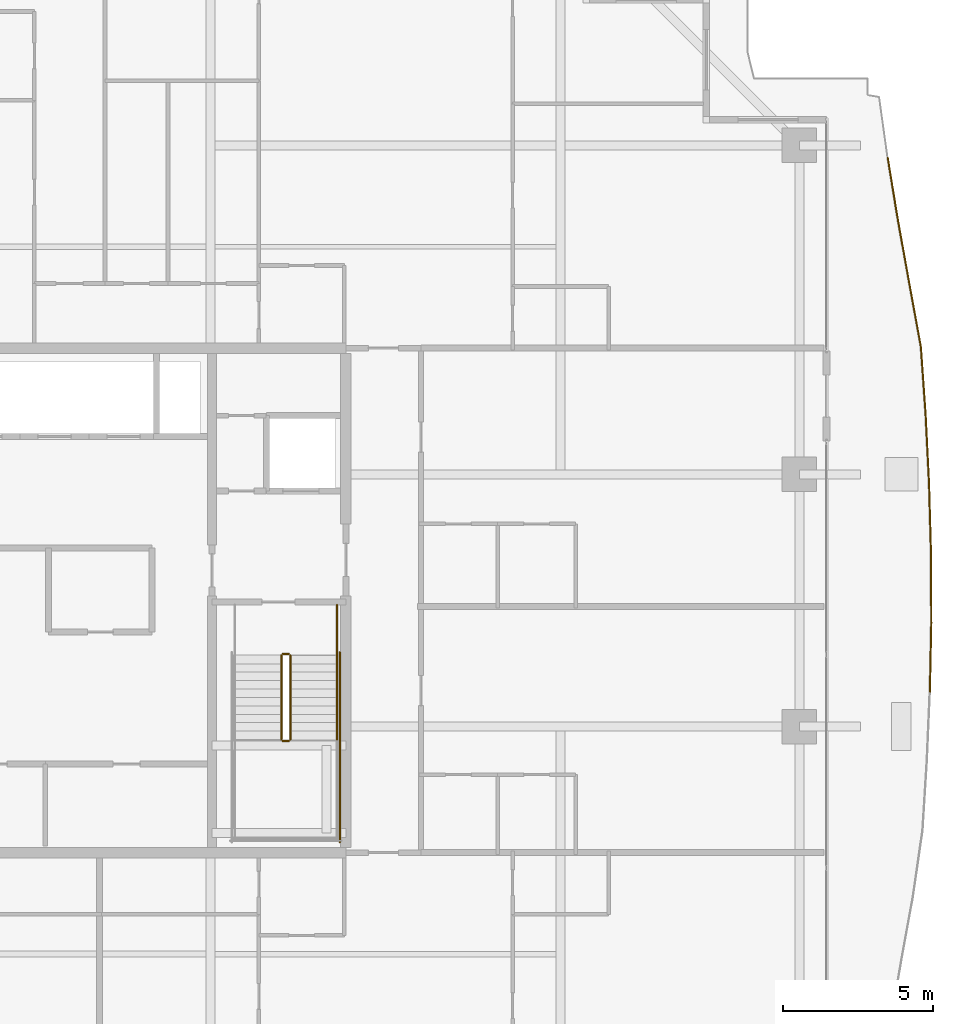
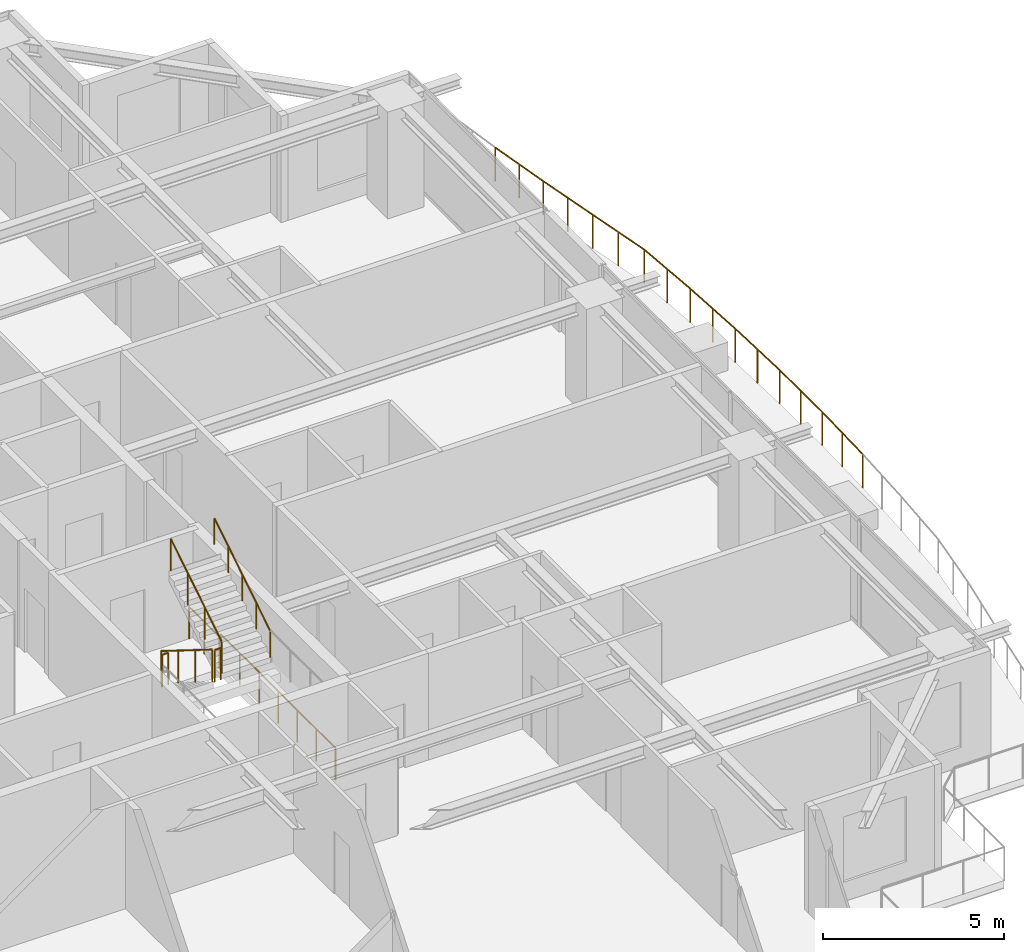
# One storey, part 36 of 37: 8 railings.
"""IFC4 building model written with IfcOpenShell, lengths in metres."""

from ifc_helpers import new_model, si_unit, direction, frame, origin, origin_2d, place, context, subcontext, project, spatial, circle, extrude, material, type_object, element, save


model = new_model("IFC4")

# Units and contexts
model_context = context("Model", 3, precision=1e-05, world=origin(), true_north=direction((0.0, 1.0)))
body_context = subcontext(model_context, "Body", "Model", "MODEL_VIEW")
ifc_project = project(units=[si_unit("LENGTHUNIT", "METRE"), si_unit("AREAUNIT", "SQUARE_METRE"), si_unit("VOLUMEUNIT", "CUBIC_METRE"), si_unit("PLANEANGLEUNIT", "RADIAN"), si_unit("MASSUNIT", "GRAM", prefix="KILO")], contexts=[model_context])

# Site, building, storey
site_placement = place(None, origin())
site = spatial("IfcSite", under=ifc_project, at=site_placement, CompositionType="ELEMENT")
building_placement = place(site_placement, origin())
building = spatial("IfcBuilding", under=site, at=building_placement, Name="Serunith Strait Residences", CompositionType="ELEMENT")
storey_placement = place(building_placement, frame((0.0, 0.0, 279.75)))
storey = spatial("IfcBuildingStorey", under=building, at=storey_placement, Name="L70", CompositionType="ELEMENT", Elevation=279.75)

# Railings
ifc_material_1 = material(Name="Stainless Steel & Laminated Glass Balustrade", Category="steel")
railing_type_1 = type_object("IfcRailingType", Name="RLG-BALC-1150", PredefinedType="BALUSTRADE", material=ifc_material_1)
railing_1_placement = place(storey_placement, frame((59.43896484375, 39.936279296875, -0.050048828125)))
element("IfcRailing", 1, at=railing_1_placement, inside=storey, type_object=railing_type_1, Name="L70 Swirling Balcony Perimeter Balustrade 5", PredefinedType="BALUSTRADE", context=body_context, shape_type="SweptSolid", body=[
    extrude(circle(Radius=0.02392578125, at=origin_2d()), frame((0.000244140625, -0.001953125, 1.1259765625), z_axis=(0.16127655947, -0.986909251839, 0.0), x_axis=(0.986909251839, 0.16127655947, 0.0)), (0.0, 0.0, 1.0), 2.075927734375),
    extrude(circle(Radius=0.02392578125, at=origin_2d()), frame((0.335693359375, -2.0546875, 1.1259765625), z_axis=(0.176883754776, -0.984231749791, 0.0), x_axis=(0.984231749791, 0.176883754776, 0.0)), (0.0, 0.0, 1.0), 2.12158203125),
    extrude(circle(Radius=0.02392578125, at=origin_2d()), frame((0.711669921875, -4.146728515625, 1.1259765625), z_axis=(0.179278853801, -0.983798298728, 0.0), x_axis=(0.983798298728, 0.179278853801, 0.0)), (0.0, 0.0, 1.0), 2.180419921875),
    extrude(circle(Radius=0.02392578125, at=origin_2d()), frame((1.103271484375, -6.295654296875, 1.1259765625), z_axis=(0.07015355465, -0.99753620424, 0.0), x_axis=(0.99753620424, 0.07015355465, 0.0)), (0.0, 0.0, 1.0), 2.26513671875),
    extrude(circle(Radius=0.02392578125, at=origin_2d()), frame((1.26220703125, -8.55908203125, 1.1259765625), z_axis=(0.049603861463, -0.998768970747, 0.0), x_axis=(0.998768970747, 0.049603861463, 0.0)), (0.0, 0.0, 1.0), 2.29443359375),
    extrude(circle(Radius=0.02392578125, at=origin_2d()), frame((1.376220703125, -10.854736328125, 1.1259765625), z_axis=(0.027910311276, -0.99961043138, 0.0), x_axis=(0.99961043138, 0.027910311276, 0.0)), (0.0, 0.0, 1.0), 2.31396484375),
    extrude(circle(Radius=0.02392578125, at=origin_2d()), frame((1.44091796875, -13.171875, 1.1259765625), z_axis=(0.003883262072, -0.999992460109, 0.0), x_axis=(0.999992460109, 0.003883262072, 0.0)), (0.0, 0.0, 1.0), 2.322265625),
    extrude(circle(Radius=0.02392578125, at=origin_2d()), frame((1.449951171875, -15.498046875, 1.1259765625), z_axis=(-0.020399624502, -0.999791906009, 0.0), x_axis=(0.999791906009, -0.020399624502, 0.0)), (0.0, 0.0, 1.0), 2.31787109375),
    extrude(circle(Radius=0.02099609375, at=origin_2d()), origin(), (0.0, 0.0, 1.0), 1.099853515625),
    extrude(circle(Radius=0.02099609375, at=origin_2d()), frame((0.167724609375, -1.0263671875, 0.0)), (0.0, 0.0, 1.0), 1.099853515625),
    extrude(circle(Radius=0.02099609375, at=origin_2d()), frame((0.33544921875, -2.052734375, 0.0)), (0.0, 0.0, 1.0), 1.099853515625),
    extrude(circle(Radius=0.02099609375, at=origin_2d()), frame((0.5234375, -3.0986328125, 0.0)), (0.0, 0.0, 1.0), 1.099853515625),
    extrude(circle(Radius=0.02099609375, at=origin_2d()), frame((0.71142578125, -4.144775390625, 0.0)), (0.0, 0.0, 1.0), 1.099853515625),
    extrude(circle(Radius=0.02099609375, at=origin_2d()), frame((0.9072265625, -5.21923828125, 0.0)), (0.0, 0.0, 1.0), 1.099853515625),
    extrude(circle(Radius=0.02099609375, at=origin_2d()), frame((1.10302734375, -6.293701171875, 0.0)), (0.0, 0.0, 1.0), 1.099853515625),
    extrude(circle(Radius=0.02099609375, at=origin_2d()), frame((1.1826171875, -7.42529296875, 0.0)), (0.0, 0.0, 1.0), 1.099853515625),
    extrude(circle(Radius=0.02099609375, at=origin_2d()), frame((1.26220703125, -8.55712890625, 0.0)), (0.0, 0.0, 1.0), 1.099853515625),
    extrude(circle(Radius=0.02099609375, at=origin_2d()), frame((1.3193359375, -9.705078125, 0.0)), (0.0, 0.0, 1.0), 1.099853515625),
    extrude(circle(Radius=0.02099609375, at=origin_2d()), frame((1.376220703125, -10.852783203125, 0.0)), (0.0, 0.0, 1.0), 1.099853515625),
    extrude(circle(Radius=0.02099609375, at=origin_2d()), frame((1.40869140625, -12.01123046875, 0.0)), (0.0, 0.0, 1.0), 1.099853515625),
    extrude(circle(Radius=0.02099609375, at=origin_2d()), frame((1.44091796875, -13.169921875, 0.0)), (0.0, 0.0, 1.0), 1.099853515625),
    extrude(circle(Radius=0.02099609375, at=origin_2d()), frame((1.4453125, -14.3330078125, 0.0)), (0.0, 0.0, 1.0), 1.099853515625),
    extrude(circle(Radius=0.02099609375, at=origin_2d()), frame((1.449951171875, -15.49609375, 0.0)), (0.0, 0.0, 1.0), 1.099853515625),
    extrude(circle(Radius=0.02099609375, at=origin_2d()), frame((1.42626953125, -16.65673828125, 0.0)), (0.0, 0.0, 1.0), 1.099853515625),
    extrude(circle(Radius=0.02099609375, at=origin_2d()), frame((1.402587890625, -17.8173828125, 0.0)), (0.0, 0.0, 1.0), 1.099853515625),
])
ifc_material_2 = material(Name="Brushed stainless steel 316L", Category="steel")
railing_type_2 = type_object("IfcRailingType", Name="RLG-STAIR-GUARD", PredefinedType="BALUSTRADE", material=ifc_material_2)
railing_2_placement = place(storey_placement, frame((39.25, 23.3701171875, 0.175048828125)))
element("IfcRailing", 2, at=railing_2_placement, inside=storey, type_object=railing_type_2, Name="L70 ST-2 stair guard 1", PredefinedType="BALUSTRADE", context=body_context, shape_type="SweptSolid", body=[
    extrude(circle(Radius=0.02392578125, at=origin_2d()), frame((0.0, -0.001708984375, 1.0771484375), z_axis=(0.0, -0.848002457836, 0.529992293815), x_axis=(1.0, 0.0, 0.0)), (0.0, 0.0, 1.0), 3.2978515625),
    extrude(circle(Radius=0.02099609375, at=origin_2d()), origin(), (0.0, 0.0, 1.0), 1.050048828125),
    extrude(circle(Radius=0.02099609375, at=origin_2d()), frame((0.0, -0.933349609375, 0.583251953125)), (0.0, 0.0, 1.0), 1.050048828125),
    extrude(circle(Radius=0.02099609375, at=origin_2d()), frame((0.0, -1.86669921875, 1.166748046875)), (0.0, 0.0, 1.0), 1.050048828125),
    extrude(circle(Radius=0.02099609375, at=origin_2d()), frame((0.0, -2.800048828125, 1.75)), (0.0, 0.0, 1.0), 1.050048828125),
])
railing_3_placement = place(storey_placement, frame((39.300048828125, 20.52001953125, 1.925048828125)))
element("IfcRailing", 3, at=railing_3_placement, inside=storey, type_object=railing_type_2, Name="L70 ST-2 stair guard 2", PredefinedType="BALUSTRADE", context=body_context, shape_type="SweptSolid", body=[
    extrude(circle(Radius=0.02392578125, at=origin_2d()), frame((0.001953125, 0.0, 1.076171875), z_axis=(1.0, 0.0, 0.0), x_axis=(0.0, 1.0, 0.0)), (0.0, 0.0, 1.0), 0.196044921875),
    extrude(circle(Radius=0.02099609375, at=origin_2d()), origin(), (0.0, 0.0, 1.0), 1.050048828125),
    extrude(circle(Radius=0.02099609375, at=origin_2d()), frame((0.199951171875, 0.0, 0.0)), (0.0, 0.0, 1.0), 1.050048828125),
])
railing_4_placement = place(storey_placement, frame((39.550048828125, 20.570068359375, 2.10009765625)))
element("IfcRailing", 4, at=railing_4_placement, inside=storey, type_object=railing_type_2, Name="L70 ST-2 stair guard 6", PredefinedType="BALUSTRADE", context=body_context, shape_type="SweptSolid", body=[
    extrude(circle(Radius=0.02392578125, at=origin_2d()), frame((0.0, 0.001708984375, 1.0771484375), z_axis=(0.0, 0.848002457836, 0.529992293815), x_axis=(-1.0, 0.0, 0.0)), (0.0, 0.0, 1.0), 3.2978515625),
    extrude(circle(Radius=0.02099609375, at=origin_2d()), origin(), (0.0, 0.0, 1.0), 1.050048828125),
    extrude(circle(Radius=0.02099609375, at=origin_2d()), frame((0.0, 0.933349609375, 0.583251953125)), (0.0, 0.0, 1.0), 1.050048828125),
    extrude(circle(Radius=0.02099609375, at=origin_2d()), frame((0.0, 1.86669921875, 1.166748046875)), (0.0, 0.0, 1.0), 1.050048828125),
    extrude(circle(Radius=0.02099609375, at=origin_2d()), frame((0.0, 2.800048828125, 1.75)), (0.0, 0.0, 1.0), 1.050048828125),
])
railing_5_placement = place(storey_placement, frame((39.300048828125, 23.419921875, 0.0)))
element("IfcRailing", 5, at=railing_5_placement, inside=storey, type_object=railing_type_2, Name="L70 ST-2 stair guard 7", PredefinedType="BALUSTRADE", context=body_context, shape_type="SweptSolid", body=[
    extrude(circle(Radius=0.02392578125, at=origin_2d()), frame((0.001953125, 0.0, 1.076171875), z_axis=(1.0, 0.0, 0.0), x_axis=(0.0, 1.0, 0.0)), (0.0, 0.0, 1.0), 0.196044921875),
    extrude(circle(Radius=0.02099609375, at=origin_2d()), origin(), (0.0, 0.0, 1.0), 1.050048828125),
    extrude(circle(Radius=0.02099609375, at=origin_2d()), frame((0.199951171875, 0.0, 0.0)), (0.0, 0.0, 1.0), 1.050048828125),
])
railing_6_placement = place(storey_placement, frame((41.10009765625, 25.050048828125, 0.0)))
element("IfcRailing", 6, at=railing_6_placement, inside=storey, type_object=railing_type_2, Name="L70 ST-2 stair guard 9", PredefinedType="BALUSTRADE", context=body_context, shape_type="SweptSolid", body=[
    extrude(circle(Radius=0.02392578125, at=origin_2d()), frame((0.0, -0.001953125, 1.076171875), z_axis=(0.0, -1.0, 0.0), x_axis=(1.0, 0.0, 0.0)), (0.0, 0.0, 1.0), 1.676025390625),
    extrude(circle(Radius=0.02099609375, at=origin_2d()), origin(), (0.0, 0.0, 1.0), 1.050048828125),
    extrude(circle(Radius=0.02099609375, at=origin_2d()), frame((0.0, -0.83984375, 0.0)), (0.0, 0.0, 1.0), 1.050048828125),
    extrude(circle(Radius=0.02099609375, at=origin_2d()), frame((0.0, -1.679931640625, 0.0)), (0.0, 0.0, 1.0), 1.050048828125),
])
railing_7_placement = place(storey_placement, frame((41.199951171875, 23.469970703125, 0.0)))
element("IfcRailing", 7, at=railing_7_placement, inside=storey, type_object=railing_type_2, Name="L70 ST-2 stair guard 11", PredefinedType="BALUSTRADE", context=body_context, shape_type="SweptSolid", body=[
    extrude(circle(Radius=0.02392578125, at=origin_2d()), frame((0.0, -0.001953125, 1.076171875), z_axis=(0.0, -1.0, 0.0), x_axis=(1.0, 0.0, 0.0)), (0.0, 0.0, 1.0), 6.316162109375),
    extrude(circle(Radius=0.02099609375, at=origin_2d()), origin(), (0.0, 0.0, 1.0), 1.050048828125),
    extrude(circle(Radius=0.02099609375, at=origin_2d()), frame((0.0, -1.05322265625, 0.0)), (0.0, 0.0, 1.0), 1.050048828125),
    extrude(circle(Radius=0.02099609375, at=origin_2d()), frame((0.0, -2.106689453125, 0.0)), (0.0, 0.0, 1.0), 1.050048828125),
    extrude(circle(Radius=0.02099609375, at=origin_2d()), frame((0.0, -3.16015625, 0.0)), (0.0, 0.0, 1.0), 1.050048828125),
    extrude(circle(Radius=0.02099609375, at=origin_2d()), frame((0.0, -4.21337890625, 0.0)), (0.0, 0.0, 1.0), 1.050048828125),
    extrude(circle(Radius=0.02099609375, at=origin_2d()), frame((0.0, -5.2666015625, 0.0)), (0.0, 0.0, 1.0), 1.050048828125),
    extrude(circle(Radius=0.02099609375, at=origin_2d()), frame((0.0, -6.320068359375, 0.0)), (0.0, 0.0, 1.0), 1.050048828125),
])
railing_type_3 = type_object("IfcRailingType", Name="RLG-STAIR-HR", PredefinedType="HANDRAIL", material=ifc_material_2)
railing_8_placement = place(storey_placement, frame((41.10009765625, 20.570068359375, 2.10009765625)))
element("IfcRailing", 8, at=railing_8_placement, inside=storey, type_object=railing_type_3, Name="L70 ST-2 stair handrail 2", PredefinedType="HANDRAIL", context=body_context, shape_type="SweptSolid", body=[
    extrude(circle(Radius=0.02392578125, at=origin_2d()), frame((0.0, 0.001708984375, 0.876953125), z_axis=(0.0, 0.847375056783, 0.530994833442), x_axis=(-1.0, 0.0, 0.0)), (0.0, 0.0, 1.0), 3.630615234375),
    extrude(circle(Radius=0.02099609375, at=origin_2d()), origin(), (0.0, 0.0, 1.0), 0.849853515625),
    extrude(circle(Radius=0.02099609375, at=origin_2d()), frame((0.0, 0.77001953125, 0.482421875)), (0.0, 0.0, 1.0), 0.849853515625),
    extrude(circle(Radius=0.02099609375, at=origin_2d()), frame((0.0, 1.5400390625, 0.96484375)), (0.0, 0.0, 1.0), 0.849853515625),
    extrude(circle(Radius=0.02099609375, at=origin_2d()), frame((0.0, 2.309814453125, 1.447509765625)), (0.0, 0.0, 1.0), 0.849853515625),
    extrude(circle(Radius=0.02099609375, at=origin_2d()), frame((0.0, 3.079833984375, 1.929931640625)), (0.0, 0.0, 1.0), 0.849853515625),
])

save(model, "model.ifc")
